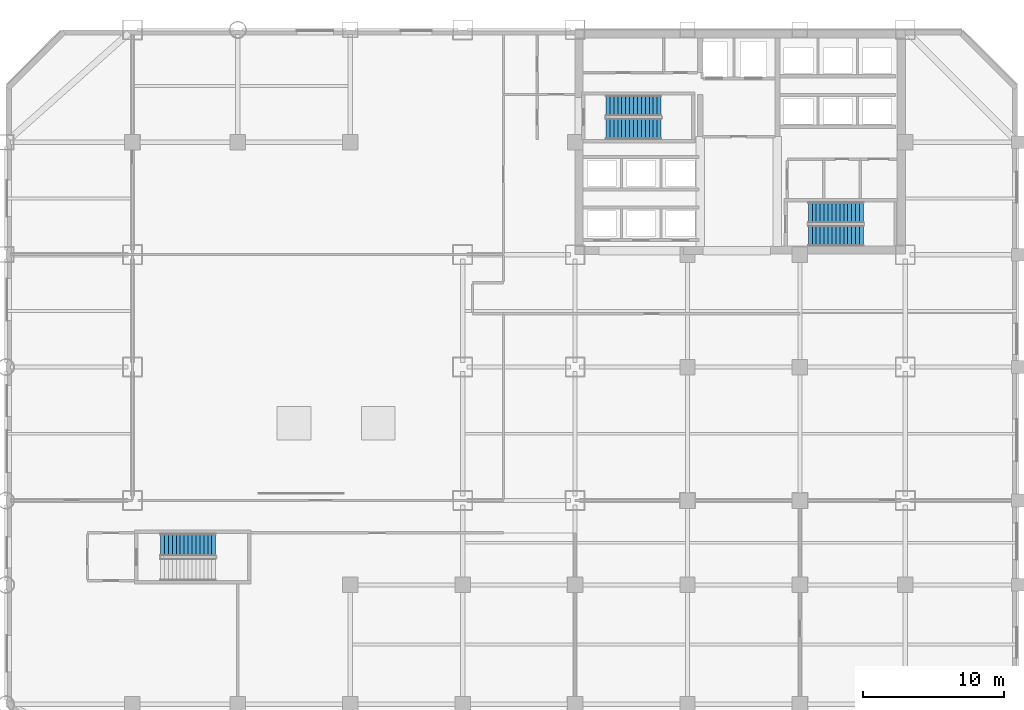
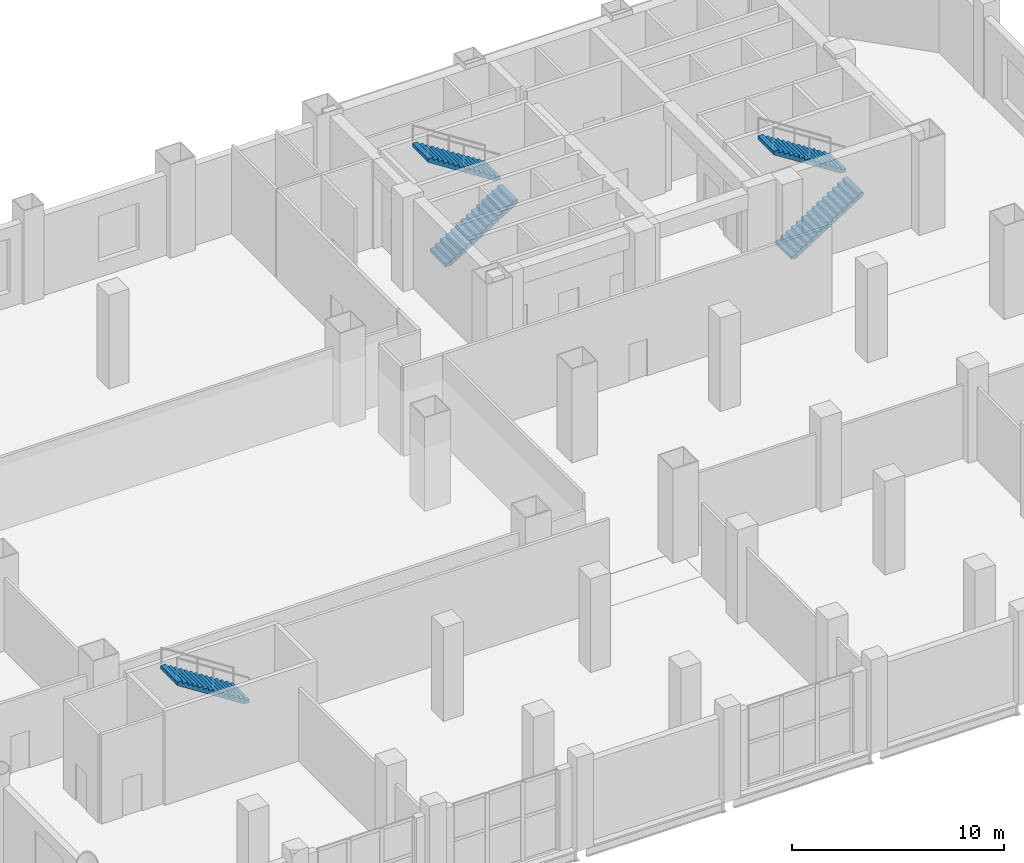
# One storey, part 14 of 18: 5 stair flights, 3 elements without a shape of their own.
"""IFC4 building model written with IfcOpenShell, lengths in metres."""

from ifc_helpers import new_model, si_unit, direction, frame, origin, place, context, subcontext, project, spatial, polyline, outline, extrude, material, type_object, element, aggregate, save


model = new_model("IFC4")

# Units and contexts
model_context = context("Model", 3, precision=1e-05, world=origin(), true_north=direction((0.0, 1.0)))
body_context = subcontext(model_context, "Body", "Model", "MODEL_VIEW")
ifc_project = project(units=[si_unit("LENGTHUNIT", "METRE"), si_unit("AREAUNIT", "SQUARE_METRE"), si_unit("VOLUMEUNIT", "CUBIC_METRE"), si_unit("PLANEANGLEUNIT", "RADIAN"), si_unit("MASSUNIT", "GRAM", prefix="KILO")], contexts=[model_context])

# Site, building, storey
site_placement = place(None, origin())
site = spatial("IfcSite", under=ifc_project, at=site_placement, CompositionType="ELEMENT")
building_placement = place(site_placement, origin())
building = spatial("IfcBuilding", under=site, at=building_placement, Name="Qianrong Seaharbour Tower", CompositionType="ELEMENT")
storey_placement = place(building_placement, frame((0.0, 0.0, 6.0)))
storey = spatial("IfcBuildingStorey", under=building, at=storey_placement, Name="L02", CompositionType="ELEMENT", Elevation=6.0)

# Stair, stair flights
ifc_material = material(Name="Concrete C50/60", Category="concrete")
stair_type_1 = type_object("IfcStairType", Name="STAIR-DOGLEG-1500-R30", PredefinedType="HALF_TURN_STAIR", material=ifc_material)
stair_1_placement = place(storey_placement, origin())
stair_1 = element("IfcStair", 1, at=stair_1_placement, inside=storey, type_object=stair_type_1, Name="L02 Protected Escape Stair ST-1", PredefinedType="HALF_TURN_STAIR")
stair_flight_type_1 = type_object("IfcStairFlightType", Name="FLIGHT-STR-1500-R30", PredefinedType="STRAIGHT", material=ifc_material)
stair_flight_1_placement = place(storey_placement, frame((42.699951171875, 44.949951171875, 0.0), z_axis=(0.0, 0.0, 1.0), x_axis=(1.0, 0.0, 0.0)))
stair_flight_1 = element("IfcStairFlight", 2, at=stair_flight_1_placement, type_object=stair_flight_type_1, Name="ST-1 flight 1", NumberOfRisers=15, NumberOfTreads=14, PredefinedType="STRAIGHT", RiserHeight=0.18, TreadLength=0.28, context=body_context, shape_type="SweptSolid", body=[
    extrude(outline(polyline([(0.0, 0.0), (0.0, 0.179931640625), (0.280029296875, 0.179931640625), (0.280029296875, 0.360107421875), (0.56005859375, 0.360107421875), (0.56005859375, 0.5400390625), (0.840087890625, 0.5400390625), (0.840087890625, 0.719970703125), (1.1201171875, 0.719970703125), (1.1201171875, 0.89990234375), (1.39990234375, 0.89990234375), (1.39990234375, 1.080078125), (1.679931640625, 1.080078125), (1.679931640625, 1.260009765625), (1.9599609375, 1.260009765625), (1.9599609375, 1.43994140625), (2.239990234375, 1.43994140625), (2.239990234375, 1.6201171875), (2.52001953125, 1.6201171875), (2.52001953125, 1.800048828125), (2.800048828125, 1.800048828125), (2.800048828125, 1.97998046875), (3.080078125, 1.97998046875), (3.080078125, 2.159912109375), (3.360107421875, 2.159912109375), (3.360107421875, 2.340087890625), (3.639892578125, 2.340087890625), (3.639892578125, 2.52001953125), (3.919921875, 2.52001953125), (3.919921875, 2.699951171875), (3.919921875, 2.329833984375), (0.295654296875, 0.0), (0.0, 0.0)])), frame((0.0, 0.75, 0.0), z_axis=(0.0, -1.0, 0.0), x_axis=(1.0, 0.0, 0.0)), (0.0, 0.0, 1.0), 1.5),
])
stair_flight_2_placement = place(storey_placement, frame((46.6201171875, 46.60009765625, 2.699951171875), z_axis=(0.0, 0.0, 1.0), x_axis=(-1.0, 0.0, 0.0)))
stair_flight_2 = element("IfcStairFlight", 3, at=stair_flight_2_placement, type_object=stair_flight_type_1, Name="ST-1 flight 2", NumberOfRisers=15, NumberOfTreads=14, PredefinedType="STRAIGHT", RiserHeight=0.18, TreadLength=0.28, context=body_context, shape_type="SweptSolid", body=[
    extrude(outline(polyline([(0.0, 0.0), (0.0, 0.179931640625), (0.280029296875, 0.179931640625), (0.280029296875, 0.360107421875), (0.56005859375, 0.360107421875), (0.56005859375, 0.5400390625), (0.840087890625, 0.5400390625), (0.840087890625, 0.719970703125), (1.1201171875, 0.719970703125), (1.1201171875, 0.89990234375), (1.39990234375, 0.89990234375), (1.39990234375, 1.080078125), (1.679931640625, 1.080078125), (1.679931640625, 1.260009765625), (1.9599609375, 1.260009765625), (1.9599609375, 1.43994140625), (2.239990234375, 1.43994140625), (2.239990234375, 1.6201171875), (2.52001953125, 1.6201171875), (2.52001953125, 1.800048828125), (2.800048828125, 1.800048828125), (2.800048828125, 1.97998046875), (3.080078125, 1.97998046875), (3.080078125, 2.159912109375), (3.360107421875, 2.159912109375), (3.360107421875, 2.340087890625), (3.639892578125, 2.340087890625), (3.639892578125, 2.52001953125), (3.919921875, 2.52001953125), (3.919921875, 2.699951171875), (3.919921875, 2.329833984375), (0.295654296875, 0.0), (0.0, 0.0)])), frame((0.0, 0.75, 0.0), z_axis=(0.0, -1.0, 0.0), x_axis=(1.0, 0.0, 0.0)), (0.0, 0.0, 1.0), 1.5),
])
aggregate(stair_1, [stair_flight_1, stair_flight_2])

stair_2_placement = place(storey_placement, origin())
stair_2 = element("IfcStair", 4, at=stair_2_placement, inside=storey, type_object=stair_type_1, Name="L02 Protected Escape Stair ST-2", PredefinedType="HALF_TURN_STAIR")
stair_flight_3_placement = place(storey_placement, frame((57.10009765625, 37.35009765625, 0.0), z_axis=(0.0, 0.0, 1.0), x_axis=(1.0, 0.0, 0.0)))
stair_flight_3 = element("IfcStairFlight", 5, at=stair_flight_3_placement, type_object=stair_flight_type_1, Name="ST-2 flight 1", NumberOfRisers=15, NumberOfTreads=14, PredefinedType="STRAIGHT", RiserHeight=0.18, TreadLength=0.28, context=body_context, shape_type="SweptSolid", body=[
    extrude(outline(polyline([(0.0, 0.0), (0.0, 0.179931640625), (0.280029296875, 0.179931640625), (0.280029296875, 0.360107421875), (0.56005859375, 0.360107421875), (0.56005859375, 0.5400390625), (0.840087890625, 0.5400390625), (0.840087890625, 0.719970703125), (1.1201171875, 0.719970703125), (1.1201171875, 0.89990234375), (1.39990234375, 0.89990234375), (1.39990234375, 1.080078125), (1.679931640625, 1.080078125), (1.679931640625, 1.260009765625), (1.9599609375, 1.260009765625), (1.9599609375, 1.43994140625), (2.239990234375, 1.43994140625), (2.239990234375, 1.6201171875), (2.52001953125, 1.6201171875), (2.52001953125, 1.800048828125), (2.800048828125, 1.800048828125), (2.800048828125, 1.97998046875), (3.080078125, 1.97998046875), (3.080078125, 2.159912109375), (3.360107421875, 2.159912109375), (3.360107421875, 2.340087890625), (3.639892578125, 2.340087890625), (3.639892578125, 2.52001953125), (3.919921875, 2.52001953125), (3.919921875, 2.699951171875), (3.919921875, 2.329833984375), (0.295654296875, 0.0), (0.0, 0.0)])), frame((0.0, 0.75, 0.0), z_axis=(0.0, -1.0, 0.0), x_axis=(1.0, 0.0, 0.0)), (0.0, 0.0, 1.0), 1.5),
])
stair_flight_4_placement = place(storey_placement, frame((61.02001953125, 39.0, 2.699951171875), z_axis=(0.0, 0.0, 1.0), x_axis=(-1.0, 0.0, 0.0)))
stair_flight_4 = element("IfcStairFlight", 6, at=stair_flight_4_placement, type_object=stair_flight_type_1, Name="ST-2 flight 2", NumberOfRisers=15, NumberOfTreads=14, PredefinedType="STRAIGHT", RiserHeight=0.18, TreadLength=0.28, context=body_context, shape_type="SweptSolid", body=[
    extrude(outline(polyline([(0.0, 0.0), (0.0, 0.179931640625), (0.280029296875, 0.179931640625), (0.280029296875, 0.360107421875), (0.56005859375, 0.360107421875), (0.56005859375, 0.5400390625), (0.840087890625, 0.5400390625), (0.840087890625, 0.719970703125), (1.1201171875, 0.719970703125), (1.1201171875, 0.89990234375), (1.39990234375, 0.89990234375), (1.39990234375, 1.080078125), (1.679931640625, 1.080078125), (1.679931640625, 1.260009765625), (1.9599609375, 1.260009765625), (1.9599609375, 1.43994140625), (2.239990234375, 1.43994140625), (2.239990234375, 1.6201171875), (2.52001953125, 1.6201171875), (2.52001953125, 1.800048828125), (2.800048828125, 1.800048828125), (2.800048828125, 1.97998046875), (3.080078125, 1.97998046875), (3.080078125, 2.159912109375), (3.360107421875, 2.159912109375), (3.360107421875, 2.340087890625), (3.639892578125, 2.340087890625), (3.639892578125, 2.52001953125), (3.919921875, 2.52001953125), (3.919921875, 2.699951171875), (3.919921875, 2.329833984375), (0.295654296875, 0.0), (0.0, 0.0)])), frame((0.0, 0.75, 0.0), z_axis=(0.0, -1.0, 0.0), x_axis=(1.0, 0.0, 0.0)), (0.0, 0.0, 1.0), 1.5),
])
aggregate(stair_2, [stair_flight_3, stair_flight_4])

# Stair, stair flight
stair_type_2 = type_object("IfcStairType", Name="STAIR-DOGLEG-1600-R30", PredefinedType="HALF_TURN_STAIR", material=ifc_material)
stair_3_placement = place(storey_placement, origin())
stair_3 = element("IfcStair", 7, at=stair_3_placement, inside=storey, type_object=stair_type_2, Name="L02 Protected Escape Stair PST-3", PredefinedType="HALF_TURN_STAIR")
stair_flight_type_2 = type_object("IfcStairFlightType", Name="FLIGHT-STR-1600-R30", PredefinedType="STRAIGHT", material=ifc_material)
stair_flight_5_placement = place(storey_placement, frame((14.919921875, 15.35009765625, 2.699951171875), z_axis=(0.0, 0.0, 1.0), x_axis=(-1.0, 0.0, 0.0)))
stair_flight_5 = element("IfcStairFlight", 8, at=stair_flight_5_placement, type_object=stair_flight_type_2, Name="PST-3 flight 2", NumberOfRisers=15, NumberOfTreads=14, PredefinedType="STRAIGHT", RiserHeight=0.18, TreadLength=0.28, context=body_context, shape_type="SweptSolid", body=[
    extrude(outline(polyline([(0.0, 0.0), (0.0, 0.179931640625), (0.280029296875, 0.179931640625), (0.280029296875, 0.360107421875), (0.56005859375, 0.360107421875), (0.56005859375, 0.5400390625), (0.840087890625, 0.5400390625), (0.840087890625, 0.719970703125), (1.1201171875, 0.719970703125), (1.1201171875, 0.89990234375), (1.39990234375, 0.89990234375), (1.39990234375, 1.080078125), (1.679931640625, 1.080078125), (1.679931640625, 1.260009765625), (1.9599609375, 1.260009765625), (1.9599609375, 1.43994140625), (2.239990234375, 1.43994140625), (2.239990234375, 1.6201171875), (2.52001953125, 1.6201171875), (2.52001953125, 1.800048828125), (2.800048828125, 1.800048828125), (2.800048828125, 1.97998046875), (3.080078125, 1.97998046875), (3.080078125, 2.159912109375), (3.360107421875, 2.159912109375), (3.360107421875, 2.340087890625), (3.639892578125, 2.340087890625), (3.639892578125, 2.52001953125), (3.919921875, 2.52001953125), (3.919921875, 2.699951171875), (3.919921875, 2.329833984375), (0.295654296875, 0.0), (0.0, 0.0)])), frame((0.0, 0.800048828125, 0.0), z_axis=(0.0, -1.0, 0.0), x_axis=(1.0, 0.0, 0.0)), (0.0, 0.0, 1.0), 1.60009765625),
])
aggregate(stair_3, [stair_flight_5])

save(model, "model.ifc")
